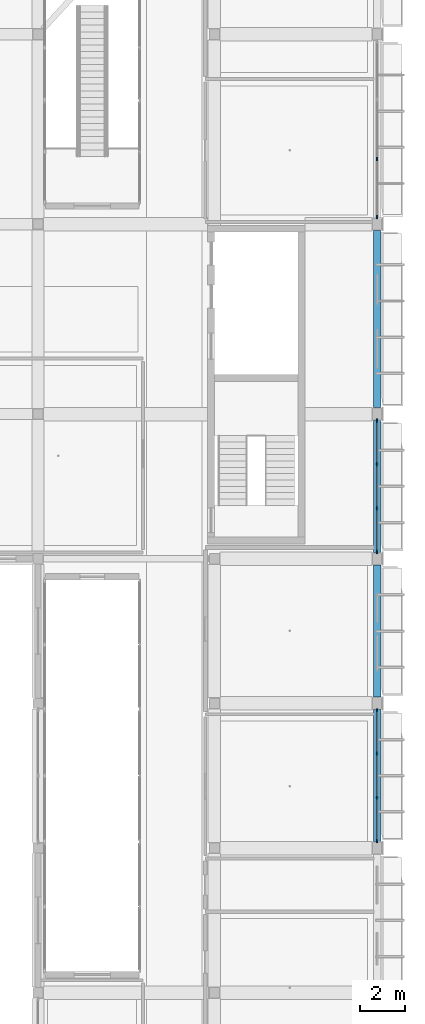
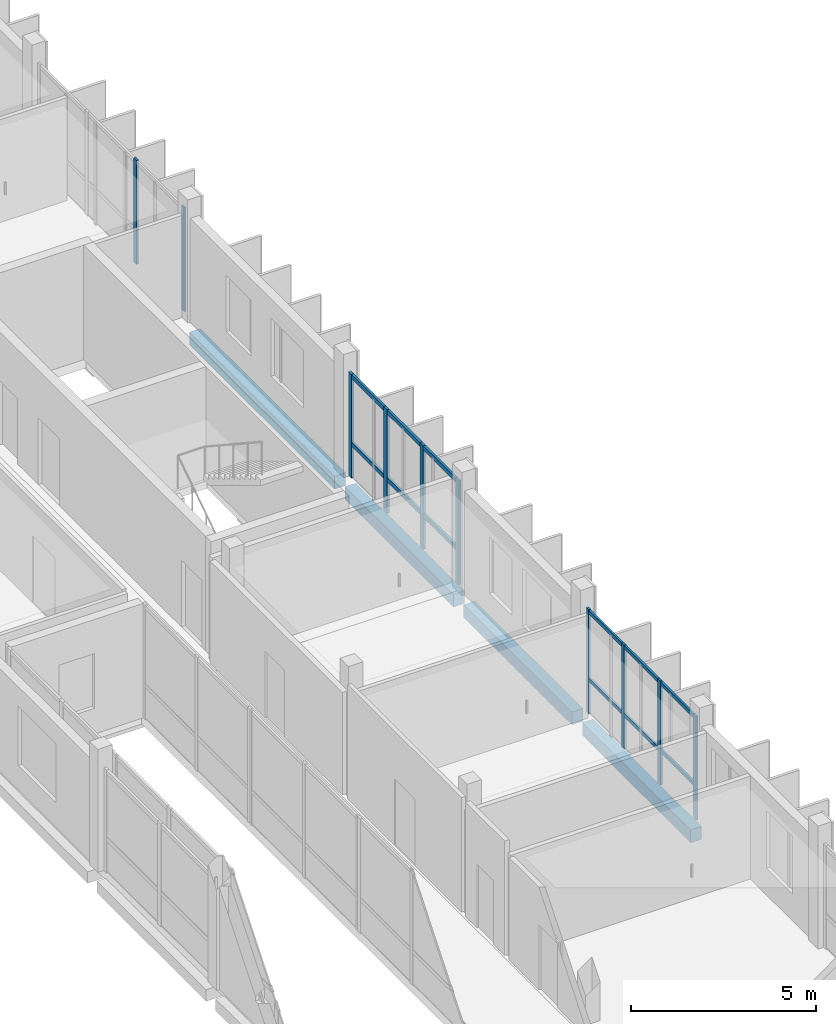
# One storey, part 34 of 86: 14 members, 4 beams, 3 elements without a shape of their own.
"""IFC4 building model written with IfcOpenShell, lengths in metres."""

from ifc_helpers import new_model, si_unit, derived_unit, direction, frame, origin, origin_2d, place, context, subcontext, project, spatial, rectangle, extrude, material, material_profile, profile_set, type_object, element, aggregate, save


model = new_model("IFC4")

# Units and contexts
model_context = context("Model", 3, precision=1e-05, world=origin(), true_north=direction((0.0, 1.0)))
body_context = subcontext(model_context, "Body", "Model", "MODEL_VIEW")
ifc_project = project(units=[si_unit("LENGTHUNIT", "METRE"), si_unit("AREAUNIT", "SQUARE_METRE"), si_unit("VOLUMEUNIT", "CUBIC_METRE"), si_unit("PLANEANGLEUNIT", "RADIAN"), si_unit("MASSUNIT", "GRAM", prefix="KILO"), derived_unit("THERMALTRANSMITTANCEUNIT", [(si_unit("POWERUNIT", "WATT"), 1), (si_unit("LENGTHUNIT", "METRE"), -2), (si_unit("THERMODYNAMICTEMPERATUREUNIT", "KELVIN"), -1)])], contexts=[model_context])

# Site, building, storey
site_placement = place(None, origin())
site = spatial("IfcSite", under=ifc_project, at=site_placement, CompositionType="ELEMENT")
building_placement = place(site_placement, origin())
building = spatial("IfcBuilding", under=site, at=building_placement, Name="Braskholm Square Health Centre", CompositionType="ELEMENT")
storey_placement = place(building_placement, frame((0.0, 0.0, 13.5)))
storey = spatial("IfcBuildingStorey", under=building, at=storey_placement, Name="L04", CompositionType="ELEMENT", Elevation=13.5)

# Curtain wall, members
ifc_material_1 = material(Name="Low-E triple insulating glass (VLT 0.64)", Category="glass")
curtain_wall_type = type_object("IfcCurtainWallType", Name="UnitisedCurtainWall6200x3650", PredefinedType="NOTDEFINED", material=ifc_material_1)
curtain_wall_1_placement = place(storey_placement, origin())
curtain_wall_1 = element("IfcCurtainWall", 1, at=curtain_wall_1_placement, inside=storey, type_object=curtain_wall_type, Name="East Outer unitised curtain wall CW-L04-0070", PredefinedType="NOTDEFINED")
ifc_material_2 = material(Name="Architectural bronze anodised aluminium", Category="aluminium")
ifc_material_profile_1 = material_profile(ifc_material_2, rectangle(XDim=0.06494140625, YDim=0.14990234375, at=origin_2d()), Name="ALU-65X150")
ifc_profile_set_1 = profile_set([ifc_material_profile_1], Name="Architectural bronze anodised aluminium")
member_type_1 = type_object("IfcMemberType", Name="CurtainWallMullion65x150", PredefinedType="MULLION", material=ifc_profile_set_1)
member_1_placement = place(storey_placement, frame((163.800048828125, 36.505126953125, 0.0), z_axis=(0.0, 0.0, 1.0), x_axis=(1.0, 0.0, 0.0)))
member_1 = element("IfcMember", 2, at=member_1_placement, type_object=member_type_1, Name="CW-L04-0070 vertical mullion 1", PredefinedType="MULLION", context=body_context, shape_type="SweptSolid", body=[
    extrude(rectangle(XDim=0.06494140625, YDim=0.14990234375, at=origin_2d()), origin(), (0.0, 0.0, 1.0), 3.419921875),
])
member_2_placement = place(storey_placement, frame((163.800048828125, 38.42333984375, 0.0), z_axis=(0.0, 0.0, 1.0), x_axis=(1.0, 0.0, 0.0)))
member_2 = element("IfcMember", 3, at=member_2_placement, type_object=member_type_1, Name="CW-L04-0070 vertical mullion 2", PredefinedType="MULLION", context=body_context, shape_type="SweptSolid", body=[
    extrude(rectangle(XDim=0.06494140625, YDim=0.14990234375, at=origin_2d()), origin(), (0.0, 0.0, 1.0), 3.419921875),
])
member_3_placement = place(storey_placement, frame((163.800048828125, 40.376708984375, 0.0), z_axis=(0.0, 0.0, 1.0), x_axis=(1.0, 0.0, 0.0)))
member_3 = element("IfcMember", 4, at=member_3_placement, type_object=member_type_1, Name="CW-L04-0070 vertical mullion 3", PredefinedType="MULLION", context=body_context, shape_type="SweptSolid", body=[
    extrude(rectangle(XDim=0.06494140625, YDim=0.14990234375, at=origin_2d()), origin(), (0.0, 0.0, 1.0), 3.419921875),
])
member_4_placement = place(storey_placement, frame((163.800048828125, 42.294921875, 0.0), z_axis=(0.0, 0.0, 1.0), x_axis=(1.0, 0.0, 0.0)))
member_4 = element("IfcMember", 5, at=member_4_placement, type_object=member_type_1, Name="CW-L04-0070 vertical mullion 4", PredefinedType="MULLION", context=body_context, shape_type="SweptSolid", body=[
    extrude(rectangle(XDim=0.06494140625, YDim=0.14990234375, at=origin_2d()), origin(), (0.0, 0.0, 1.0), 3.419921875),
])

curtain_wall_2_placement = place(storey_placement, origin())
curtain_wall_2 = element("IfcCurtainWall", 6, at=curtain_wall_2_placement, inside=storey, type_object=curtain_wall_type, Name="East Outer unitised curtain wall CW-L04-0072", PredefinedType="NOTDEFINED")
member_5_placement = place(storey_placement, frame((163.800048828125, 64.1171875, 0.0), z_axis=(0.0, 0.0, 1.0), x_axis=(1.0, 0.0, 0.0)))
member_5 = element("IfcMember", 7, at=member_5_placement, type_object=member_type_1, Name="CW-L04-0072 vertical mullion 1", PredefinedType="MULLION", context=body_context, shape_type="SweptSolid", body=[
    extrude(rectangle(XDim=0.06494140625, YDim=0.14990234375, at=origin_2d()), origin(), (0.0, 0.0, 1.0), 3.419921875),
])
member_6_placement = place(storey_placement, frame((163.800048828125, 66.68994140625, 0.0), z_axis=(0.0, 0.0, 1.0), x_axis=(1.0, 0.0, 0.0)))
member_6 = element("IfcMember", 8, at=member_6_placement, type_object=member_type_1, Name="CW-L04-0072 vertical mullion 2", PredefinedType="MULLION", context=body_context, shape_type="SweptSolid", body=[
    extrude(rectangle(XDim=0.06494140625, YDim=0.14990234375, at=origin_2d()), origin(), (0.0, 0.0, 1.0), 3.419921875),
])
aggregate(curtain_wall_2, [member_5, member_6])

curtain_wall_3_placement = place(storey_placement, origin())
curtain_wall_3 = element("IfcCurtainWall", 9, at=curtain_wall_3_placement, inside=storey, type_object=curtain_wall_type, Name="East Outer unitised curtain wall CW-L04-0071", PredefinedType="NOTDEFINED")
ifc_material_profile_2 = material_profile(ifc_material_2, rectangle(XDim=0.074951171875, YDim=0.179931640625, at=origin_2d()), Name="ALU-75X180")
ifc_profile_set_2 = profile_set([ifc_material_profile_2], Name="Architectural bronze anodised aluminium")
member_type_2 = type_object("IfcMemberType", Name="CurtainWallMullion75x180", PredefinedType="MULLION", material=ifc_profile_set_2)
member_7_placement = place(storey_placement, frame((163.800048828125, 49.30517578125, 0.0), z_axis=(0.0, 0.0, 1.0), x_axis=(1.0, 0.0, 0.0)))
member_7 = element("IfcMember", 10, at=member_7_placement, type_object=member_type_2, Name="CW-L04-0071 vertical mullion 1", PredefinedType="MULLION", context=body_context, shape_type="SweptSolid", body=[
    extrude(rectangle(XDim=0.074951171875, YDim=0.179931640625, at=origin_2d()), origin(), (0.0, 0.0, 1.0), 3.419921875),
])
member_8_placement = place(storey_placement, frame((163.800048828125, 51.223388671875, 0.0), z_axis=(0.0, 0.0, 1.0), x_axis=(1.0, 0.0, 0.0)))
member_8 = element("IfcMember", 11, at=member_8_placement, type_object=member_type_2, Name="CW-L04-0071 vertical mullion 2", PredefinedType="MULLION", context=body_context, shape_type="SweptSolid", body=[
    extrude(rectangle(XDim=0.074951171875, YDim=0.179931640625, at=origin_2d()), origin(), (0.0, 0.0, 1.0), 3.419921875),
])
member_9_placement = place(storey_placement, frame((163.800048828125, 53.1767578125, 0.0), z_axis=(0.0, 0.0, 1.0), x_axis=(1.0, 0.0, 0.0)))
member_9 = element("IfcMember", 12, at=member_9_placement, type_object=member_type_2, Name="CW-L04-0071 vertical mullion 3", PredefinedType="MULLION", context=body_context, shape_type="SweptSolid", body=[
    extrude(rectangle(XDim=0.074951171875, YDim=0.179931640625, at=origin_2d()), origin(), (0.0, 0.0, 1.0), 3.419921875),
])
member_10_placement = place(storey_placement, frame((163.800048828125, 55.0947265625, 0.0), z_axis=(0.0, 0.0, 1.0), x_axis=(1.0, 0.0, 0.0)))
member_10 = element("IfcMember", 13, at=member_10_placement, type_object=member_type_2, Name="CW-L04-0071 vertical mullion 4", PredefinedType="MULLION", context=body_context, shape_type="SweptSolid", body=[
    extrude(rectangle(XDim=0.074951171875, YDim=0.179931640625, at=origin_2d()), origin(), (0.0, 0.0, 1.0), 3.419921875),
])

# Member
ifc_material_profile_3 = material_profile(ifc_material_2, rectangle(XDim=0.06494140625, YDim=0.1201171875, at=origin_2d()), Name="ALU-65X120")
ifc_profile_set_3 = profile_set([ifc_material_profile_3], Name="Architectural bronze anodised aluminium")
member_type_3 = type_object("IfcMemberType", Name="CurtainWallTransom65x120", PredefinedType="USERDEFINED", material=ifc_profile_set_3)
member_11_placement = place(storey_placement, frame((163.800048828125, 36.514892578125, 1.1201171875), z_axis=(0.0, 1.0, 0.0), x_axis=(-1.0, 0.0, 0.0)))
member_11 = element("IfcMember", 14, at=member_11_placement, type_object=member_type_3, Name="CW-L04-0070 horizontal transom 1", ObjectType="TRANSOM", PredefinedType="USERDEFINED", context=body_context, shape_type="SweptSolid", body=[
    extrude(rectangle(XDim=0.06494140625, YDim=0.1201171875, at=origin_2d()), origin(), (0.0, 0.0, 1.0), 5.77001953125),
])

member_12_placement = place(storey_placement, frame((163.800048828125, 36.514892578125, 3.35009765625), z_axis=(0.0, 1.0, 0.0), x_axis=(-1.0, 0.0, 0.0)))
member_12 = element("IfcMember", 15, at=member_12_placement, type_object=member_type_3, Name="CW-L04-0070 horizontal transom 2", ObjectType="TRANSOM", PredefinedType="USERDEFINED", context=body_context, shape_type="SweptSolid", body=[
    extrude(rectangle(XDim=0.06494140625, YDim=0.1201171875, at=origin_2d()), origin(), (0.0, 0.0, 1.0), 5.77001953125),
])

aggregate(curtain_wall_1, [member_1, member_2, member_3, member_4, member_11, member_12])

ifc_material_profile_4 = material_profile(ifc_material_2, rectangle(XDim=0.074951171875, YDim=0.139892578125, at=origin_2d()), Name="ALU-75X140")
ifc_profile_set_4 = profile_set([ifc_material_profile_4], Name="Architectural bronze anodised aluminium")
member_type_4 = type_object("IfcMemberType", Name="CurtainWallTransom75x140", PredefinedType="USERDEFINED", material=ifc_profile_set_4)
member_13_placement = place(storey_placement, frame((163.800048828125, 49.31494140625, 1.1201171875), z_axis=(0.0, 1.0, 0.0), x_axis=(-1.0, 0.0, 0.0)))
member_13 = element("IfcMember", 16, at=member_13_placement, type_object=member_type_4, Name="CW-L04-0071 horizontal transom 1", ObjectType="TRANSOM", PredefinedType="USERDEFINED", context=body_context, shape_type="SweptSolid", body=[
    extrude(rectangle(XDim=0.074951171875, YDim=0.139892578125, at=origin_2d()), origin(), (0.0, 0.0, 1.0), 5.77001953125),
])

member_14_placement = place(storey_placement, frame((163.800048828125, 49.31494140625, 3.35009765625), z_axis=(0.0, 1.0, 0.0), x_axis=(-1.0, 0.0, 0.0)))
member_14 = element("IfcMember", 17, at=member_14_placement, type_object=member_type_4, Name="CW-L04-0071 horizontal transom 2", ObjectType="TRANSOM", PredefinedType="USERDEFINED", context=body_context, shape_type="SweptSolid", body=[
    extrude(rectangle(XDim=0.074951171875, YDim=0.139892578125, at=origin_2d()), origin(), (0.0, 0.0, 1.0), 5.77001953125),
])

aggregate(curtain_wall_3, [member_7, member_8, member_9, member_10, member_13, member_14])

# Beams
ifc_material_3 = material(Name="Precast concrete C40/50 architectural white", Category="concrete")
ifc_material_profile_5 = material_profile(ifc_material_3, rectangle(XDim=0.340087890625, YDim=0.419921875, at=origin_2d()), Name="RCB-340X420")
ifc_profile_set_5 = profile_set([ifc_material_profile_5], Name="Precast concrete C40/50 architectural white")
beam_type = type_object("IfcBeamType", Name="SpandrelCrownEdge340x420", PredefinedType="SPANDREL", material=ifc_profile_set_5)
for number, where, z_axis, x_axis, name in (
    (18, (163.800048828125, 36.47998046875, -0.510009765625), (0.0, 1.0, 0.0), (-1.0, 0.0, 0.0), "Beam 22/F-G L04"),
    (19, (163.800048828125, 42.8798828125, -0.510009765625), (0.0, 1.0, 0.0), (-1.0, 0.0, 0.0), "Beam 22/G-H L04"),
    (20, (163.800048828125, 49.280029296875, -0.510009765625), (0.0, 1.0, 0.0), (-1.0, 0.0, 0.0), "Beam 22/H-J L04"),
):
    element("IfcBeam", number, at=place(storey_placement, frame(where, z_axis=z_axis, x_axis=x_axis)), inside=storey, type_object=beam_type, Name=name, PredefinedType="SPANDREL", context=body_context, shape_type="SweptSolid", body=[
        extrude(rectangle(XDim=0.340087890625, YDim=0.419921875, at=origin_2d()), origin(), (0.0, 0.0, 1.0), 5.840087890625),
    ])
beam_placement = place(storey_placement, frame((163.800048828125, 55.679931640625, -0.510009765625), z_axis=(0.0, 1.0, 0.0), x_axis=(-1.0, 0.0, 0.0)))
element("IfcBeam", 21, at=beam_placement, inside=storey, type_object=beam_type, Name="Beam 22/J-K L04", PredefinedType="SPANDREL", context=body_context, shape_type="SweptSolid", body=[
    extrude(rectangle(XDim=0.340087890625, YDim=0.419921875, at=origin_2d()), origin(), (0.0, 0.0, 1.0), 7.840087890625),
])

save(model, "model.ifc")
